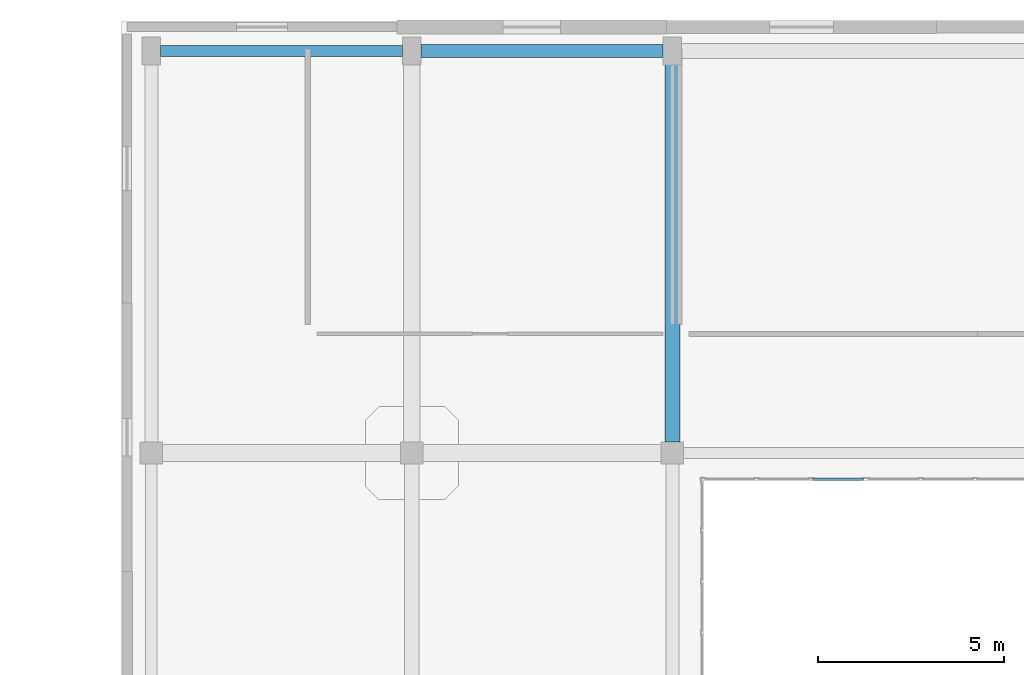
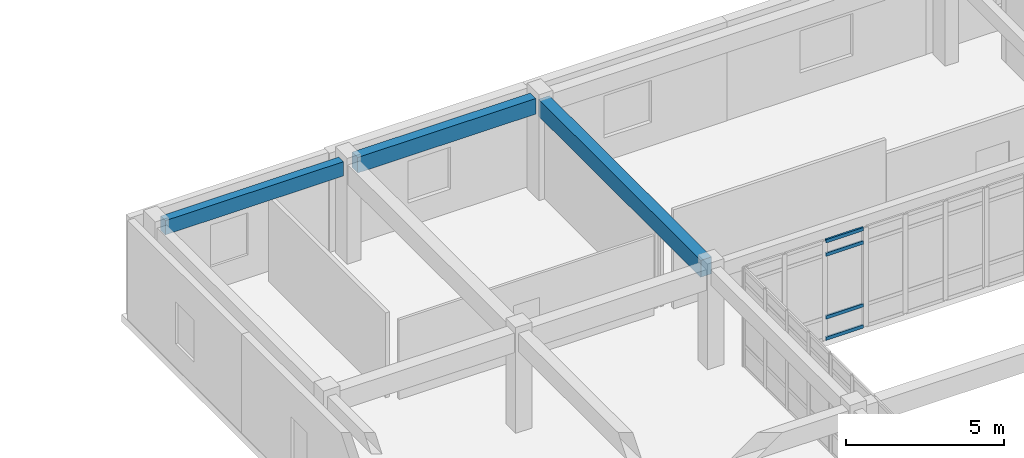
# One storey, part 102 of 146: 4 members, 3 beams, 1 element without a shape of its own.
"""IFC4 building model written with IfcOpenShell, lengths in metres."""

from ifc_helpers import new_model, si_unit, direction, frame, origin, origin_2d, place, context, subcontext, project, spatial, rectangle, hollow_rectangle, extrude, material, layer, layer_set, material_profile, profile_set, type_object, element, aggregate, save


model = new_model("IFC4")

# Units and contexts
model_context = context("Model", 3, precision=1e-05, world=origin(), true_north=direction((0.0, 1.0)))
body_context = subcontext(model_context, "Body", "Model", "MODEL_VIEW")
ifc_project = project(units=[si_unit("LENGTHUNIT", "METRE"), si_unit("AREAUNIT", "SQUARE_METRE"), si_unit("VOLUMEUNIT", "CUBIC_METRE"), si_unit("PLANEANGLEUNIT", "RADIAN"), si_unit("MASSUNIT", "GRAM", prefix="KILO")], contexts=[model_context])

# Site, building, storey
site_placement = place(None, origin())
site = spatial("IfcSite", under=ifc_project, at=site_placement, CompositionType="ELEMENT")
building_placement = place(site_placement, origin())
building = spatial("IfcBuilding", under=site, at=building_placement, Name="Valcora Specialist Clinic", CompositionType="ELEMENT")
storey_placement = place(building_placement, frame((0.0, 0.0, 9.52001953125)))
storey = spatial("IfcBuildingStorey", under=building, at=storey_placement, Name="L02", CompositionType="ELEMENT", Elevation=9.52001953125)

# Beams
ifc_material_1 = material(Name="Concrete C40/50", Category="concrete")
ifc_material_profile_1 = material_profile(ifc_material_1, rectangle(XDim=0.300048828125, YDim=0.550048828125, at=origin_2d()), Name="RC-BM-300X550")
ifc_profile_set_1 = profile_set([ifc_material_profile_1], Name="Concrete C40/50")
beam_type_1 = type_object("IfcBeamType", Name="TY-BM-RC300X550", PredefinedType="BEAM", material=ifc_profile_set_1)
beam_1_placement = place(storey_placement, frame((62.25, 110.0, 3.544921875), z_axis=(1.0, 0.0, 0.0), x_axis=(0.0, 1.0, 0.0)))
element("IfcBeam", 1, at=beam_1_placement, inside=storey, type_object=beam_type_1, Name="Beam BM-L02-0727", PredefinedType="BEAM", context=body_context, shape_type="SweptSolid", body=[
    extrude(rectangle(XDim=0.300048828125, YDim=0.550048828125, at=origin_2d()), origin(), (0.0, 0.0, 1.0), 6.5),
])
ifc_material_profile_2 = material_profile(ifc_material_1, rectangle(XDim=0.35009765625, YDim=0.60009765625, at=origin_2d()), Name="RC-BM-350X600")
ifc_profile_set_2 = profile_set([ifc_material_profile_2], Name="Concrete C40/50")
beam_type_2 = type_object("IfcBeamType", Name="TY-BM-RC350X600", PredefinedType="BEAM", material=ifc_profile_set_2)
beam_2_placement = place(storey_placement, frame((69.25, 110.0, 3.52001953125), z_axis=(1.0, 0.0, 0.0), x_axis=(0.0, 1.0, 0.0)))
element("IfcBeam", 2, at=beam_2_placement, inside=storey, type_object=beam_type_2, Name="Beam BM-L02-0728", PredefinedType="BEAM", context=body_context, shape_type="SweptSolid", body=[
    extrude(rectangle(XDim=0.35009765625, YDim=0.60009765625, at=origin_2d()), origin(), (0.0, 0.0, 1.0), 6.5),
])
ifc_material_profile_3 = material_profile(ifc_material_1, rectangle(XDim=0.39990234375, YDim=0.64990234375, at=origin_2d()), Name="RC-BM-400X650")
ifc_profile_set_3 = profile_set([ifc_material_profile_3], Name="Concrete C40/50")
beam_type_3 = type_object("IfcBeamType", Name="TY-BM-RC400X650", PredefinedType="BEAM", material=ifc_profile_set_3)
beam_3_placement = place(storey_placement, frame((76.0, 99.5, 3.494873046875), z_axis=(0.0, 1.0, 0.0), x_axis=(-1.0, 0.0, 0.0)))
element("IfcBeam", 3, at=beam_3_placement, inside=storey, type_object=beam_type_3, Name="Beam BM-L02-0745", PredefinedType="BEAM", context=body_context, shape_type="SweptSolid", body=[
    extrude(rectangle(XDim=0.39990234375, YDim=0.64990234375, at=origin_2d()), origin(), (0.0, 0.0, 1.0), 10.25),
])

# Curtain wall, members
ifc_material_2 = material(Name="Anodized Bronze Aluminium 6063-T6", Category="aluminium")
ifc_layer = layer(ifc_material_2, 0.175048828125)
ifc_layer_set = layer_set([ifc_layer], Name="Anodized Bronze Aluminium 6063-T6")
curtain_wall_type = type_object("IfcCurtainWallType", Name="TY-CW-CRT15", PredefinedType="NOTDEFINED", material=ifc_layer_set)
curtain_wall_placement = place(storey_placement, origin())
curtain_wall = element("IfcCurtainWall", 4, at=curtain_wall_placement, inside=storey, type_object=curtain_wall_type, Name="Curtain wall CW-L02-101", PredefinedType="NOTDEFINED")
ifc_material_profile_4 = material_profile(ifc_material_2, hollow_rectangle(XDim=0.06494140625, YDim=0.1298828125, WallThickness=0.00390625, at=origin_2d()), Name="AL-TRN-65X130")
ifc_profile_set_4 = profile_set([ifc_material_profile_4], Name="Anodized Bronze Aluminium 6063-T6")
member_type = type_object("IfcMemberType", Name="TY-CWT-65X130", PredefinedType="USERDEFINED", material=ifc_profile_set_4)
member_1_placement = place(storey_placement, frame((81.135009765625, 98.5, 0.032470703125), z_axis=(-1.0, 0.0, 0.0), x_axis=(0.0, -1.0, 0.0)))
member_1 = element("IfcMember", 5, at=member_1_placement, type_object=member_type, Name="CW-CRT-15 transom 1.1", ObjectType="TRANSOM", PredefinedType="USERDEFINED", context=body_context, shape_type="SweptSolid", body=[
    extrude(hollow_rectangle(XDim=0.06494140625, YDim=0.1298828125, WallThickness=0.00390625, at=origin_2d()), origin(), (0.0, 0.0, 1.0), 1.369140625),
])
member_2_placement = place(storey_placement, frame((81.135009765625, 98.5, 0.85009765625), z_axis=(-1.0, 0.0, 0.0), x_axis=(0.0, -1.0, 0.0)))
member_2 = element("IfcMember", 6, at=member_2_placement, type_object=member_type, Name="CW-CRT-15 transom 1.2", ObjectType="TRANSOM", PredefinedType="USERDEFINED", context=body_context, shape_type="SweptSolid", body=[
    extrude(hollow_rectangle(XDim=0.06494140625, YDim=0.1298828125, WallThickness=0.00390625, at=origin_2d()), origin(), (0.0, 0.0, 1.0), 1.369140625),
])
member_3_placement = place(storey_placement, frame((81.135009765625, 98.5, 3.27001953125), z_axis=(-1.0, 0.0, 0.0), x_axis=(0.0, -1.0, 0.0)))
member_3 = element("IfcMember", 7, at=member_3_placement, type_object=member_type, Name="CW-CRT-15 transom 1.3", ObjectType="TRANSOM", PredefinedType="USERDEFINED", context=body_context, shape_type="SweptSolid", body=[
    extrude(hollow_rectangle(XDim=0.06494140625, YDim=0.1298828125, WallThickness=0.00390625, at=origin_2d()), origin(), (0.0, 0.0, 1.0), 1.369140625),
])
member_4_placement = place(storey_placement, frame((81.135009765625, 98.5, 3.78759765625), z_axis=(-1.0, 0.0, 0.0), x_axis=(0.0, -1.0, 0.0)))
member_4 = element("IfcMember", 8, at=member_4_placement, type_object=member_type, Name="CW-CRT-15 transom 1.4", ObjectType="TRANSOM", PredefinedType="USERDEFINED", context=body_context, shape_type="SweptSolid", body=[
    extrude(hollow_rectangle(XDim=0.06494140625, YDim=0.1298828125, WallThickness=0.00390625, at=origin_2d()), origin(), (0.0, 0.0, 1.0), 1.369140625),
])
aggregate(curtain_wall, [member_1, member_2, member_3, member_4])

save(model, "model.ifc")
